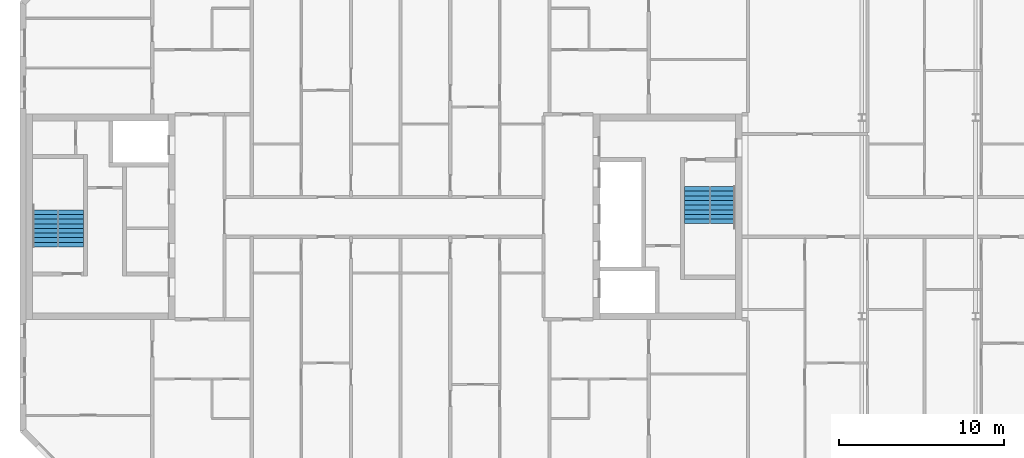
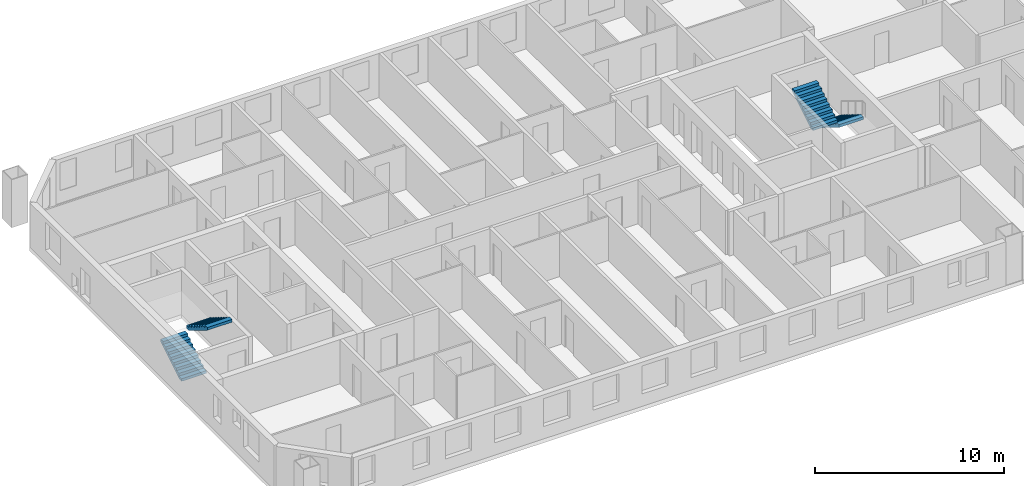
# One storey, part 18 of 19: 4 stair flights, 2 elements without a shape of their own.
"""IFC4 building model written with IfcOpenShell, lengths in metres."""

from ifc_helpers import new_model, si_unit, direction, frame, origin, place, context, subcontext, project, spatial, faceted_brep, material, type_object, element, aggregate, save


model = new_model("IFC4")

# Units and contexts
model_context = context("Model", 3, precision=1e-05, world=origin(), true_north=direction((0.0, 1.0)))
body_context = subcontext(model_context, "Body", "Model", "MODEL_VIEW")
ifc_project = project(units=[si_unit("LENGTHUNIT", "METRE"), si_unit("AREAUNIT", "SQUARE_METRE"), si_unit("VOLUMEUNIT", "CUBIC_METRE"), si_unit("PLANEANGLEUNIT", "RADIAN"), si_unit("MASSUNIT", "GRAM", prefix="KILO")], contexts=[model_context])

# Site, building, storey
site_placement = place(None, origin())
site = spatial("IfcSite", under=ifc_project, at=site_placement, CompositionType="ELEMENT")
building_placement = place(site_placement, origin())
building = spatial("IfcBuilding", under=site, at=building_placement, Name="Tuart Gate Housing", CompositionType="ELEMENT")
storey_placement = place(building_placement, frame((0.0, 0.0, 209.0)))
storey = spatial("IfcBuildingStorey", under=building, at=storey_placement, Name="L59", CompositionType="ELEMENT", Elevation=209.0)

# Stair, stair flights
ifc_material_1 = material(Name="Concrete C40", Category="concrete")
stair_type = type_object("IfcStairType", Name="Core stair 1500", PredefinedType="HALF_TURN_STAIR", material=ifc_material_1)
stair_1_placement = place(storey_placement, origin())
stair_1 = element("IfcStair", 1, at=stair_1_placement, inside=storey, type_object=stair_type, Name="Stair SA1", PredefinedType="HALF_TURN_STAIR")
ifc_material_2 = material(Name="Concrete C40", Category="concrete")
stair_flight_type = type_object("IfcStairFlightType", Name="Stair flight 1500, 9 risers 172 x 280", PredefinedType="STRAIGHT", material=ifc_material_2)
stair_flight_1_placement = place(storey_placement, frame((74.489990234375, 71.824951171875, 0.0), z_axis=(0.0, 0.0, 1.0), x_axis=(0.0, -1.0, 0.0)))
stair_flight_1 = element("IfcStairFlight", 2, at=stair_flight_1_placement, type_object=stair_flight_type, Name="SA1 flight 1", NumberOfRisers=9, NumberOfTreads=8, PredefinedType="STRAIGHT", RiserHeight=0.172222222, TreadLength=0.28, context=body_context, shape_type="Brep", body=[
    faceted_brep([(0.0, 0.75, 0.0), (0.0, 0.75, 0.172119140625), (0.280029296875, 0.75, 0.172119140625), (0.280029296875, 0.75, 0.344482421875), (0.56005859375, 0.75, 0.344482421875), (0.56005859375, 0.75, 0.5166015625), (0.840087890625, 0.75, 0.5166015625), (0.840087890625, 0.75, 0.68896484375), (1.1201171875, 0.75, 0.68896484375), (1.1201171875, 0.75, 0.861083984375), (1.39990234375, 0.75, 0.861083984375), (1.39990234375, 0.75, 1.033447265625), (1.679931640625, 0.75, 1.033447265625), (1.679931640625, 0.75, 1.20556640625), (1.9599609375, 0.75, 1.20556640625), (1.9599609375, 0.75, 1.377685546875), (2.239990234375, 0.75, 1.377685546875), (2.239990234375, 0.75, 1.201904296875), (0.2861328125, 0.75, 0.0), (0.2861328125, -0.75, 0.0), (2.239990234375, -0.75, 1.201904296875), (2.239990234375, -0.75, 1.377685546875), (1.9599609375, -0.75, 1.377685546875), (1.9599609375, -0.75, 1.20556640625), (1.679931640625, -0.75, 1.20556640625), (1.679931640625, -0.75, 1.033447265625), (1.39990234375, -0.75, 1.033447265625), (1.39990234375, -0.75, 0.861083984375), (1.1201171875, -0.75, 0.861083984375), (1.1201171875, -0.75, 0.68896484375), (0.840087890625, -0.75, 0.68896484375), (0.840087890625, -0.75, 0.5166015625), (0.56005859375, -0.75, 0.5166015625), (0.56005859375, -0.75, 0.344482421875), (0.280029296875, -0.75, 0.344482421875), (0.280029296875, -0.75, 0.172119140625), (0.0, -0.75, 0.172119140625), (0.0, -0.75, 0.0), (2.239990234375, 0.0, 1.201904296875), (0.2861328125, 0.0, 0.0), (2.239990234375, 0.0, 1.377685546875), (1.9599609375, 0.0, 1.377685546875), (1.9599609375, 0.0, 1.20556640625), (1.679931640625, 0.0, 1.20556640625), (1.679931640625, 0.0, 1.033447265625), (1.39990234375, 0.0, 1.033447265625), (1.39990234375, 0.0, 0.861083984375), (1.1201171875, 0.0, 0.861083984375), (1.1201171875, 0.0, 0.68896484375), (0.840087890625, 0.0, 0.68896484375), (0.840087890625, 0.0, 0.5166015625), (0.56005859375, 0.0, 0.5166015625), (0.56005859375, 0.0, 0.344482421875), (0.280029296875, 0.0, 0.344482421875), (0.280029296875, 0.0, 0.172119140625), (0.0, 0.0, 0.172119140625), (0.0, 0.0, 0.0)], [[[0, 1, 2, 3, 4, 5, 6, 7, 8, 9, 10, 11, 12, 13, 14, 15, 16, 17, 18]], [[19, 20, 21, 22, 23, 24, 25, 26, 27, 28, 29, 30, 31, 32, 33, 34, 35, 36, 37]], [[18, 17, 38, 39]], [[39, 38, 20, 19]], [[17, 16, 40, 38]], [[38, 40, 21, 20]], [[16, 15, 41, 40]], [[40, 41, 22, 21]], [[15, 14, 42, 41]], [[41, 42, 23, 22]], [[14, 13, 43, 42]], [[42, 43, 24, 23]], [[13, 12, 44, 43]], [[43, 44, 25, 24]], [[12, 11, 45, 44]], [[44, 45, 26, 25]], [[11, 10, 46, 45]], [[45, 46, 27, 26]], [[10, 9, 47, 46]], [[46, 47, 28, 27]], [[9, 8, 48, 47]], [[47, 48, 29, 28]], [[8, 7, 49, 48]], [[48, 49, 30, 29]], [[7, 6, 50, 49]], [[49, 50, 31, 30]], [[6, 5, 51, 50]], [[50, 51, 32, 31]], [[5, 4, 52, 51]], [[51, 52, 33, 32]], [[4, 3, 53, 52]], [[52, 53, 34, 33]], [[3, 2, 54, 53]], [[53, 54, 35, 34]], [[2, 1, 55, 54]], [[54, 55, 36, 35]], [[1, 0, 56, 55]], [[55, 56, 37, 36]], [[0, 18, 39, 56]], [[56, 39, 19, 37]]]),
])
stair_flight_2_placement = place(storey_placement, frame((72.9150390625, 69.5849609375, 1.550048828125), z_axis=(0.0, 0.0, 1.0), x_axis=(0.0, 1.0, 0.0)))
stair_flight_2 = element("IfcStairFlight", 3, at=stair_flight_2_placement, type_object=stair_flight_type, Name="SA1 flight 2", NumberOfRisers=9, NumberOfTreads=8, PredefinedType="STRAIGHT", RiserHeight=0.172222222, TreadLength=0.28, context=body_context, shape_type="Brep", body=[
    faceted_brep([(0.0, 0.75, 0.0), (0.0, 0.75, 0.172119140625), (0.280029296875, 0.75, 0.172119140625), (0.280029296875, 0.75, 0.344482421875), (0.56005859375, 0.75, 0.344482421875), (0.56005859375, 0.75, 0.5166015625), (0.840087890625, 0.75, 0.5166015625), (0.840087890625, 0.75, 0.68896484375), (1.1201171875, 0.75, 0.68896484375), (1.1201171875, 0.75, 0.861083984375), (1.39990234375, 0.75, 0.861083984375), (1.39990234375, 0.75, 1.033447265625), (1.679931640625, 0.75, 1.033447265625), (1.679931640625, 0.75, 1.20556640625), (1.9599609375, 0.75, 1.20556640625), (1.9599609375, 0.75, 1.377685546875), (2.239990234375, 0.75, 1.377685546875), (2.239990234375, 0.75, 1.201904296875), (0.2861328125, 0.75, 0.0), (0.2861328125, -0.75, 0.0), (2.239990234375, -0.75, 1.201904296875), (2.239990234375, -0.75, 1.377685546875), (1.9599609375, -0.75, 1.377685546875), (1.9599609375, -0.75, 1.20556640625), (1.679931640625, -0.75, 1.20556640625), (1.679931640625, -0.75, 1.033447265625), (1.39990234375, -0.75, 1.033447265625), (1.39990234375, -0.75, 0.861083984375), (1.1201171875, -0.75, 0.861083984375), (1.1201171875, -0.75, 0.68896484375), (0.840087890625, -0.75, 0.68896484375), (0.840087890625, -0.75, 0.5166015625), (0.56005859375, -0.75, 0.5166015625), (0.56005859375, -0.75, 0.344482421875), (0.280029296875, -0.75, 0.344482421875), (0.280029296875, -0.75, 0.172119140625), (0.0, -0.75, 0.172119140625), (0.0, -0.75, 0.0), (2.239990234375, 0.0, 1.201904296875), (0.2861328125, 0.0, 0.0), (2.239990234375, 0.0, 1.377685546875), (1.9599609375, 0.0, 1.377685546875), (1.9599609375, 0.0, 1.20556640625), (1.679931640625, 0.0, 1.20556640625), (1.679931640625, 0.0, 1.033447265625), (1.39990234375, 0.0, 1.033447265625), (1.39990234375, 0.0, 0.861083984375), (1.1201171875, 0.0, 0.861083984375), (1.1201171875, 0.0, 0.68896484375), (0.840087890625, 0.0, 0.68896484375), (0.840087890625, 0.0, 0.5166015625), (0.56005859375, 0.0, 0.5166015625), (0.56005859375, 0.0, 0.344482421875), (0.280029296875, 0.0, 0.344482421875), (0.280029296875, 0.0, 0.172119140625), (0.0, 0.0, 0.172119140625), (0.0, 0.0, 0.0)], [[[0, 1, 2, 3, 4, 5, 6, 7, 8, 9, 10, 11, 12, 13, 14, 15, 16, 17, 18]], [[19, 20, 21, 22, 23, 24, 25, 26, 27, 28, 29, 30, 31, 32, 33, 34, 35, 36, 37]], [[18, 17, 38, 39]], [[39, 38, 20, 19]], [[17, 16, 40, 38]], [[38, 40, 21, 20]], [[16, 15, 41, 40]], [[40, 41, 22, 21]], [[15, 14, 42, 41]], [[41, 42, 23, 22]], [[14, 13, 43, 42]], [[42, 43, 24, 23]], [[13, 12, 44, 43]], [[43, 44, 25, 24]], [[12, 11, 45, 44]], [[44, 45, 26, 25]], [[11, 10, 46, 45]], [[45, 46, 27, 26]], [[10, 9, 47, 46]], [[46, 47, 28, 27]], [[9, 8, 48, 47]], [[47, 48, 29, 28]], [[8, 7, 49, 48]], [[48, 49, 30, 29]], [[7, 6, 50, 49]], [[49, 50, 31, 30]], [[6, 5, 51, 50]], [[50, 51, 32, 31]], [[5, 4, 52, 51]], [[51, 52, 33, 32]], [[4, 3, 53, 52]], [[52, 53, 34, 33]], [[3, 2, 54, 53]], [[53, 54, 35, 34]], [[2, 1, 55, 54]], [[54, 55, 36, 35]], [[1, 0, 56, 55]], [[55, 56, 37, 36]], [[0, 18, 39, 56]], [[56, 39, 19, 37]]]),
])
aggregate(stair_1, [stair_flight_1, stair_flight_2])

stair_2_placement = place(storey_placement, origin())
stair_2 = element("IfcStair", 4, at=stair_2_placement, inside=storey, type_object=stair_type, Name="Stair SA2", PredefinedType="HALF_TURN_STAIR")
stair_flight_3_placement = place(storey_placement, frame((33.510009765625, 68.175048828125, 0.0), z_axis=(0.0, 0.0, 1.0), x_axis=(0.0, 1.0, 0.0)))
stair_flight_3 = element("IfcStairFlight", 5, at=stair_flight_3_placement, type_object=stair_flight_type, Name="SA2 flight 1", NumberOfRisers=9, NumberOfTreads=8, PredefinedType="STRAIGHT", RiserHeight=0.172222222, TreadLength=0.28, context=body_context, shape_type="Brep", body=[
    faceted_brep([(0.0, 0.75, 0.0), (0.0, 0.75, 0.172119140625), (0.280029296875, 0.75, 0.172119140625), (0.280029296875, 0.75, 0.344482421875), (0.56005859375, 0.75, 0.344482421875), (0.56005859375, 0.75, 0.5166015625), (0.840087890625, 0.75, 0.5166015625), (0.840087890625, 0.75, 0.68896484375), (1.1201171875, 0.75, 0.68896484375), (1.1201171875, 0.75, 0.861083984375), (1.39990234375, 0.75, 0.861083984375), (1.39990234375, 0.75, 1.033447265625), (1.679931640625, 0.75, 1.033447265625), (1.679931640625, 0.75, 1.20556640625), (1.9599609375, 0.75, 1.20556640625), (1.9599609375, 0.75, 1.377685546875), (2.239990234375, 0.75, 1.377685546875), (2.239990234375, 0.75, 1.201904296875), (0.2861328125, 0.75, 0.0), (0.2861328125, -0.75, 0.0), (2.239990234375, -0.75, 1.201904296875), (2.239990234375, -0.75, 1.377685546875), (1.9599609375, -0.75, 1.377685546875), (1.9599609375, -0.75, 1.20556640625), (1.679931640625, -0.75, 1.20556640625), (1.679931640625, -0.75, 1.033447265625), (1.39990234375, -0.75, 1.033447265625), (1.39990234375, -0.75, 0.861083984375), (1.1201171875, -0.75, 0.861083984375), (1.1201171875, -0.75, 0.68896484375), (0.840087890625, -0.75, 0.68896484375), (0.840087890625, -0.75, 0.5166015625), (0.56005859375, -0.75, 0.5166015625), (0.56005859375, -0.75, 0.344482421875), (0.280029296875, -0.75, 0.344482421875), (0.280029296875, -0.75, 0.172119140625), (0.0, -0.75, 0.172119140625), (0.0, -0.75, 0.0), (2.239990234375, 0.0, 1.201904296875), (0.2861328125, 0.0, 0.0), (2.239990234375, 0.0, 1.377685546875), (1.9599609375, 0.0, 1.377685546875), (1.9599609375, 0.0, 1.20556640625), (1.679931640625, 0.0, 1.20556640625), (1.679931640625, 0.0, 1.033447265625), (1.39990234375, 0.0, 1.033447265625), (1.39990234375, 0.0, 0.861083984375), (1.1201171875, 0.0, 0.861083984375), (1.1201171875, 0.0, 0.68896484375), (0.840087890625, 0.0, 0.68896484375), (0.840087890625, 0.0, 0.5166015625), (0.56005859375, 0.0, 0.5166015625), (0.56005859375, 0.0, 0.344482421875), (0.280029296875, 0.0, 0.344482421875), (0.280029296875, 0.0, 0.172119140625), (0.0, 0.0, 0.172119140625), (0.0, 0.0, 0.0)], [[[0, 1, 2, 3, 4, 5, 6, 7, 8, 9, 10, 11, 12, 13, 14, 15, 16, 17, 18]], [[19, 20, 21, 22, 23, 24, 25, 26, 27, 28, 29, 30, 31, 32, 33, 34, 35, 36, 37]], [[18, 17, 38, 39]], [[39, 38, 20, 19]], [[17, 16, 40, 38]], [[38, 40, 21, 20]], [[16, 15, 41, 40]], [[40, 41, 22, 21]], [[15, 14, 42, 41]], [[41, 42, 23, 22]], [[14, 13, 43, 42]], [[42, 43, 24, 23]], [[13, 12, 44, 43]], [[43, 44, 25, 24]], [[12, 11, 45, 44]], [[44, 45, 26, 25]], [[11, 10, 46, 45]], [[45, 46, 27, 26]], [[10, 9, 47, 46]], [[46, 47, 28, 27]], [[9, 8, 48, 47]], [[47, 48, 29, 28]], [[8, 7, 49, 48]], [[48, 49, 30, 29]], [[7, 6, 50, 49]], [[49, 50, 31, 30]], [[6, 5, 51, 50]], [[50, 51, 32, 31]], [[5, 4, 52, 51]], [[51, 52, 33, 32]], [[4, 3, 53, 52]], [[52, 53, 34, 33]], [[3, 2, 54, 53]], [[53, 54, 35, 34]], [[2, 1, 55, 54]], [[54, 55, 36, 35]], [[1, 0, 56, 55]], [[55, 56, 37, 36]], [[0, 18, 39, 56]], [[56, 39, 19, 37]]]),
])
stair_flight_4_placement = place(storey_placement, frame((35.0849609375, 70.4150390625, 1.550048828125), z_axis=(0.0, 0.0, 1.0), x_axis=(0.0, -1.0, 0.0)))
stair_flight_4 = element("IfcStairFlight", 6, at=stair_flight_4_placement, type_object=stair_flight_type, Name="SA2 flight 2", NumberOfRisers=9, NumberOfTreads=8, PredefinedType="STRAIGHT", RiserHeight=0.172222222, TreadLength=0.28, context=body_context, shape_type="Brep", body=[
    faceted_brep([(0.0, 0.75, 0.0), (0.0, 0.75, 0.172119140625), (0.280029296875, 0.75, 0.172119140625), (0.280029296875, 0.75, 0.344482421875), (0.56005859375, 0.75, 0.344482421875), (0.56005859375, 0.75, 0.5166015625), (0.840087890625, 0.75, 0.5166015625), (0.840087890625, 0.75, 0.68896484375), (1.1201171875, 0.75, 0.68896484375), (1.1201171875, 0.75, 0.861083984375), (1.39990234375, 0.75, 0.861083984375), (1.39990234375, 0.75, 1.033447265625), (1.679931640625, 0.75, 1.033447265625), (1.679931640625, 0.75, 1.20556640625), (1.9599609375, 0.75, 1.20556640625), (1.9599609375, 0.75, 1.377685546875), (2.239990234375, 0.75, 1.377685546875), (2.239990234375, 0.75, 1.201904296875), (0.2861328125, 0.75, 0.0), (0.2861328125, -0.75, 0.0), (2.239990234375, -0.75, 1.201904296875), (2.239990234375, -0.75, 1.377685546875), (1.9599609375, -0.75, 1.377685546875), (1.9599609375, -0.75, 1.20556640625), (1.679931640625, -0.75, 1.20556640625), (1.679931640625, -0.75, 1.033447265625), (1.39990234375, -0.75, 1.033447265625), (1.39990234375, -0.75, 0.861083984375), (1.1201171875, -0.75, 0.861083984375), (1.1201171875, -0.75, 0.68896484375), (0.840087890625, -0.75, 0.68896484375), (0.840087890625, -0.75, 0.5166015625), (0.56005859375, -0.75, 0.5166015625), (0.56005859375, -0.75, 0.344482421875), (0.280029296875, -0.75, 0.344482421875), (0.280029296875, -0.75, 0.172119140625), (0.0, -0.75, 0.172119140625), (0.0, -0.75, 0.0), (2.239990234375, 0.0, 1.201904296875), (0.2861328125, 0.0, 0.0), (2.239990234375, 0.0, 1.377685546875), (1.9599609375, 0.0, 1.377685546875), (1.9599609375, 0.0, 1.20556640625), (1.679931640625, 0.0, 1.20556640625), (1.679931640625, 0.0, 1.033447265625), (1.39990234375, 0.0, 1.033447265625), (1.39990234375, 0.0, 0.861083984375), (1.1201171875, 0.0, 0.861083984375), (1.1201171875, 0.0, 0.68896484375), (0.840087890625, 0.0, 0.68896484375), (0.840087890625, 0.0, 0.5166015625), (0.56005859375, 0.0, 0.5166015625), (0.56005859375, 0.0, 0.344482421875), (0.280029296875, 0.0, 0.344482421875), (0.280029296875, 0.0, 0.172119140625), (0.0, 0.0, 0.172119140625), (0.0, 0.0, 0.0)], [[[0, 1, 2, 3, 4, 5, 6, 7, 8, 9, 10, 11, 12, 13, 14, 15, 16, 17, 18]], [[19, 20, 21, 22, 23, 24, 25, 26, 27, 28, 29, 30, 31, 32, 33, 34, 35, 36, 37]], [[18, 17, 38, 39]], [[39, 38, 20, 19]], [[17, 16, 40, 38]], [[38, 40, 21, 20]], [[16, 15, 41, 40]], [[40, 41, 22, 21]], [[15, 14, 42, 41]], [[41, 42, 23, 22]], [[14, 13, 43, 42]], [[42, 43, 24, 23]], [[13, 12, 44, 43]], [[43, 44, 25, 24]], [[12, 11, 45, 44]], [[44, 45, 26, 25]], [[11, 10, 46, 45]], [[45, 46, 27, 26]], [[10, 9, 47, 46]], [[46, 47, 28, 27]], [[9, 8, 48, 47]], [[47, 48, 29, 28]], [[8, 7, 49, 48]], [[48, 49, 30, 29]], [[7, 6, 50, 49]], [[49, 50, 31, 30]], [[6, 5, 51, 50]], [[50, 51, 32, 31]], [[5, 4, 52, 51]], [[51, 52, 33, 32]], [[4, 3, 53, 52]], [[52, 53, 34, 33]], [[3, 2, 54, 53]], [[53, 54, 35, 34]], [[2, 1, 55, 54]], [[54, 55, 36, 35]], [[1, 0, 56, 55]], [[55, 56, 37, 36]], [[0, 18, 39, 56]], [[56, 39, 19, 37]]]),
])
aggregate(stair_2, [stair_flight_3, stair_flight_4])

save(model, "model.ifc")
